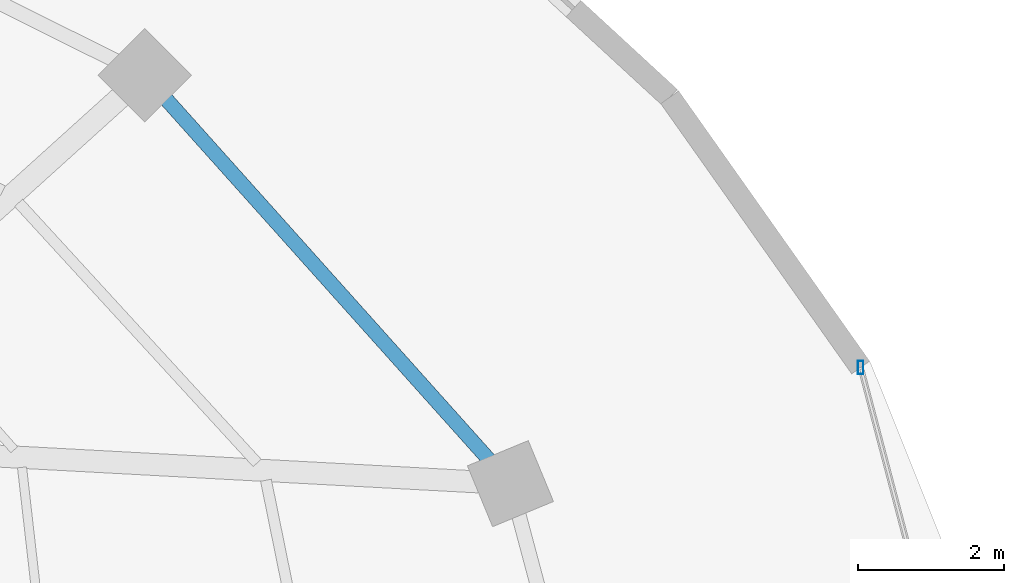
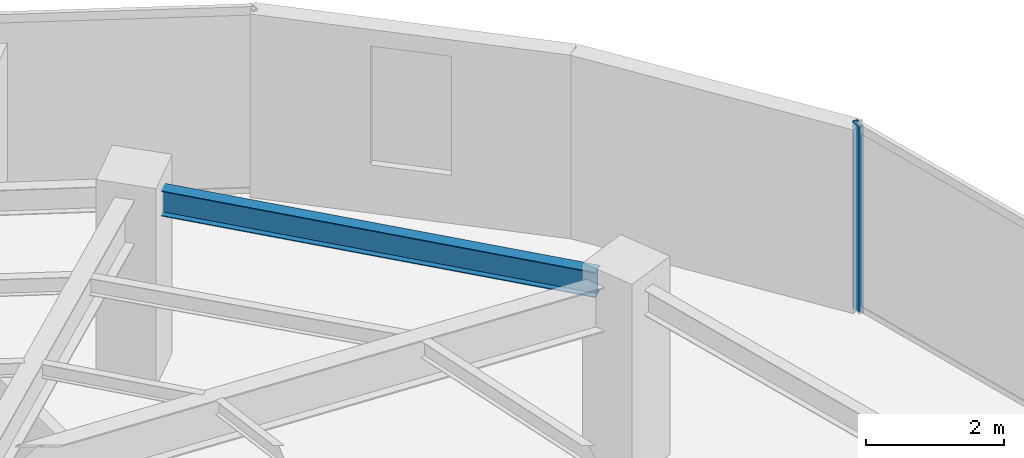
# One storey, part 16 of 33: 1 beam, 1 member, 1 element without a shape of its own.
"""IFC4 building model written with IfcOpenShell, lengths in metres."""

from ifc_helpers import new_model, si_unit, direction, frame, origin, origin_2d, place, context, subcontext, project, spatial, hollow_rectangle, i_section, extrude, material, material_profile, profile_set, type_object, element, aggregate, save


model = new_model("IFC4")

# Units and contexts
model_context = context("Model", 3, precision=1e-05, world=origin(), true_north=direction((0.0, 1.0)))
body_context = subcontext(model_context, "Body", "Model", "MODEL_VIEW")
ifc_project = project(units=[si_unit("LENGTHUNIT", "METRE"), si_unit("AREAUNIT", "SQUARE_METRE"), si_unit("VOLUMEUNIT", "CUBIC_METRE"), si_unit("PLANEANGLEUNIT", "RADIAN"), si_unit("MASSUNIT", "GRAM", prefix="KILO")], contexts=[model_context])

# Site, building, storey
site_placement = place(None, origin())
site = spatial("IfcSite", under=ifc_project, at=site_placement, CompositionType="ELEMENT")
building_placement = place(site_placement, origin())
building = spatial("IfcBuilding", under=site, at=building_placement, Name="Vorneva Point Tower", CompositionType="ELEMENT")
storey_placement = place(building_placement, frame((0.0, 0.0, 189.60009765625)))
storey = spatial("IfcBuildingStorey", under=building, at=storey_placement, Name="L51", CompositionType="ELEMENT", Elevation=189.60009765625)

# Beam
ifc_material_1 = material(Name="Steel S355", Category="steel")
ifc_material_profile_1 = material_profile(ifc_material_1, i_section(OverallWidth=0.198974609375, OverallDepth=0.446044921875, WebThickness=0.008056640625, FlangeThickness=0.011962890625, at=origin_2d()), Name="45B1")
ifc_profile_set_1 = profile_set([ifc_material_profile_1], Name="Steel S355")
beam_type = type_object("IfcBeamType", Name="BM-SPN-45B1", PredefinedType="SPANDREL", material=ifc_profile_set_1)
beam_placement = place(storey_placement, frame((59.005126953125, 32.90625, 3.016845703125), z_axis=(-0.66706970547, 0.744995307397, 0.0), x_axis=(-0.744995307397, -0.66706970547, 0.0)))
element("IfcBeam", 1, at=beam_placement, inside=storey, type_object=beam_type, Name="L51 Perimeter Spandrel Ring Beam 02", PredefinedType="SPANDREL", context=body_context, shape_type="SweptSolid", body=[
    extrude(i_section(OverallWidth=0.198974609375, OverallDepth=0.446044921875, WebThickness=0.008056640625, FlangeThickness=0.011962890625, at=origin_2d()), origin(), (0.0, 0.0, 1.0), 6.6201171875),
])

# Curtain wall, member
ifc_material_2 = material(Name="Pale anodised aluminium", Category="aluminium")
curtain_wall_type = type_object("IfcCurtainWallType", Name="CW-RES-SYS", PredefinedType="NOTDEFINED", material=ifc_material_2)
curtain_wall_placement = place(storey_placement, origin())
curtain_wall = element("IfcCurtainWall", 2, at=curtain_wall_placement, inside=storey, type_object=curtain_wall_type, Name="L51 Unitised Curtain Wall CW-L51-R01", PredefinedType="NOTDEFINED")
ifc_material_profile_2 = material_profile(ifc_material_2, hollow_rectangle(XDim=0.074951171875, YDim=0.179931640625, WallThickness=0.00390625, at=origin_2d()), Name="AL-MUL 180x75x4")
ifc_profile_set_2 = profile_set([ifc_material_profile_2], Name="Pale anodised aluminium")
member_type = type_object("IfcMemberType", Name="CW-MUL-180", PredefinedType="MULLION", material=ifc_profile_set_2)
member_placement = place(storey_placement, frame((64.0810546875, 34.17041015625, -0.0400390625), z_axis=(0.0, 0.0, 1.0), x_axis=(1.0, 0.0, 0.0)))
member = element("IfcMember", 3, at=member_placement, type_object=member_type, Name="CW-L51-R01 Mullion 03", PredefinedType="MULLION", context=body_context, shape_type="SweptSolid", body=[
    extrude(hollow_rectangle(XDim=0.074951171875, YDim=0.179931640625, WallThickness=0.00390625, at=origin_2d()), origin(), (0.0, 0.0, 1.0), 3.31005859375),
])
aggregate(curtain_wall, [member])

save(model, "model.ifc")
